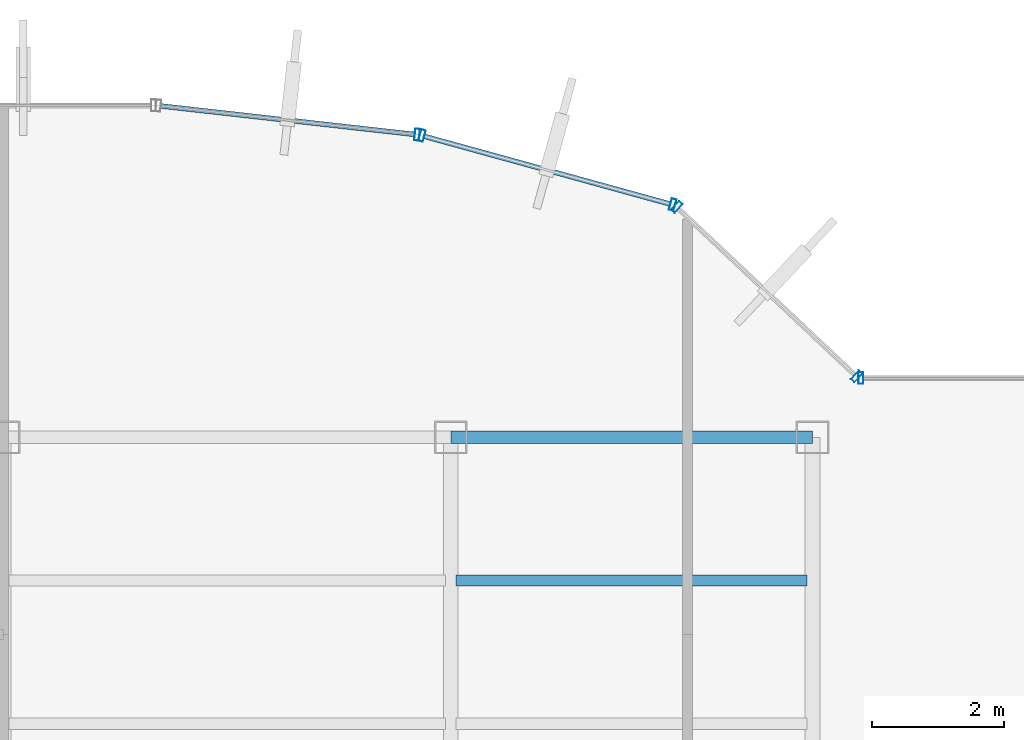
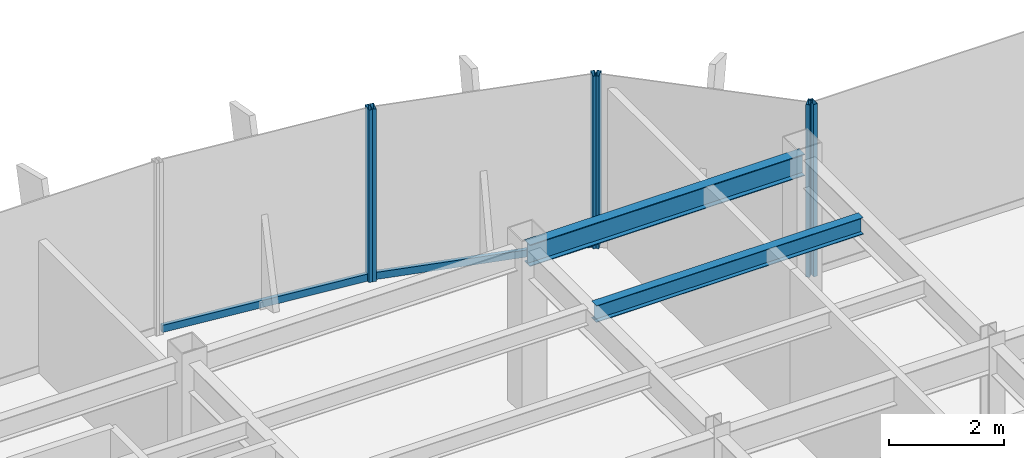
# One storey, part 14 of 22: 8 members, 2 beams, 4 elements without a shape of their own.
"""IFC4 building model written with IfcOpenShell, lengths in metres."""

from ifc_helpers import new_model, si_unit, derived_unit, direction, frame, origin, origin_2d, place, context, subcontext, project, spatial, hollow_rectangle, i_section, extrude, source, transform, mapped, material, material_profile, profile_set, type_object, element, aggregate, save


model = new_model("IFC4")

# Units and contexts
model_context = context("Model", 3, precision=1e-05, world=origin(), true_north=direction((0.0, 1.0)))
body_context = subcontext(model_context, "Body", "Model", "MODEL_VIEW")
ifc_project = project(units=[si_unit("LENGTHUNIT", "METRE"), si_unit("AREAUNIT", "SQUARE_METRE"), si_unit("VOLUMEUNIT", "CUBIC_METRE"), si_unit("PLANEANGLEUNIT", "RADIAN"), si_unit("MASSUNIT", "GRAM", prefix="KILO"), derived_unit("THERMALTRANSMITTANCEUNIT", [(si_unit("POWERUNIT", "WATT"), 1), (si_unit("LENGTHUNIT", "METRE"), -2), (si_unit("THERMODYNAMICTEMPERATUREUNIT", "KELVIN"), -1)])], contexts=[model_context])

# Site, building, storey
site_placement = place(None, origin())
site = spatial("IfcSite", under=ifc_project, at=site_placement, CompositionType="ELEMENT")
building_placement = place(site_placement, origin())
building = spatial("IfcBuilding", under=site, at=building_placement, Name="Skarnbrae Concourse Arena and Tower", CompositionType="ELEMENT")
storey_placement = place(building_placement, frame((0.0, 0.0, 228.75)))
storey = spatial("IfcBuildingStorey", under=building, at=storey_placement, Name="L59", CompositionType="ELEMENT", Elevation=228.75)

# Beams
ifc_material_1 = material(Name="Steel CSA G40.21 350W", Category="steel")
ifc_material_profile_1 = material_profile(ifc_material_1, i_section(OverallWidth=0.19091796875, OverallDepth=0.4599609375, WebThickness=0.010009765625, FlangeThickness=0.01611328125, at=origin_2d()), Name="W460X82")
ifc_profile_set_1 = profile_set([ifc_material_profile_1], Name="Steel CSA G40.21 350W")
beam_type_1 = type_object("IfcBeamType", Name="BM-SPAN-W460X82", PredefinedType="SPANDREL", material=ifc_profile_set_1)
shared_shape_1 = source(origin(), body_context, "Body", "SweptSolid", [
    extrude(i_section(OverallWidth=0.19091796875, OverallDepth=0.4599609375, WebThickness=0.010009765625, FlangeThickness=0.01611328125, at=origin_2d()), origin(), (0.0, 0.0, 1.0), 5.5),
])
beam_1_placement = place(storey_placement, frame((28.0, 34.39990234375, 3.169921875), z_axis=(1.0, 0.0, 0.0), x_axis=(0.0, 1.0, 0.0)))
element("IfcBeam", 1, at=beam_1_placement, inside=storey, type_object=beam_type_1, Name="L59 Perimeter spandrel Y34.4-4", PredefinedType="SPANDREL", context=body_context, shape_type="MappedRepresentation", body=[
    mapped(shared_shape_1, transform((0.0, 0.0, 0.0))),
])
ifc_material_profile_2 = material_profile(ifc_material_1, i_section(OverallWidth=0.1708984375, OverallDepth=0.35498046875, WebThickness=0.007080078125, FlangeThickness=0.01171875, at=origin_2d()), Name="W360X51")
ifc_profile_set_2 = profile_set([ifc_material_profile_2], Name="Steel CSA G40.21 350W")
beam_type_2 = type_object("IfcBeamType", Name="BM-JOIST-W360X51", PredefinedType="JOIST", material=ifc_profile_set_2)
shared_shape_2 = source(origin(), body_context, "Body", "SweptSolid", [
    extrude(i_section(OverallWidth=0.1708984375, OverallDepth=0.35498046875, WebThickness=0.007080078125, FlangeThickness=0.01171875, at=origin_2d()), origin(), (0.0, 0.0, 1.0), 5.33984375),
])
beam_2_placement = place(storey_placement, frame((28.080078125, 32.221923828125, 3.222412109375), z_axis=(1.0, 0.0, 0.0), x_axis=(0.0, 1.0, 0.0)))
element("IfcBeam", 2, at=beam_2_placement, inside=storey, type_object=beam_type_2, Name="L59 Secondary floor joist 3.2.4", PredefinedType="JOIST", context=body_context, shape_type="MappedRepresentation", body=[
    mapped(shared_shape_2, transform((0.0, 0.0, 0.0))),
])

# Curtain wall, member
ifc_material_2 = material(Name="Bronze anodised aluminium 6063-T6", Category="aluminium")
curtain_wall_type = type_object("IfcCurtainWallType", Name="CW-SYS-05-HIGHZONE", PredefinedType="USERDEFINED", material=ifc_material_2)
curtain_wall_1_placement = place(storey_placement, origin())
curtain_wall_1 = element("IfcCurtainWall", 3, at=curtain_wall_1_placement, inside=storey, type_object=curtain_wall_type, Name="L59 Unitised curtain wall CW-L59-E07", ObjectType="UNITISED CURTAIN WALL", PredefinedType="USERDEFINED")
ifc_material_profile_3 = material_profile(ifc_material_2, hollow_rectangle(XDim=0.074951171875, YDim=0.179931640625, WallThickness=0.00390625, at=origin_2d()), Name="ALU-MULL-75X180")
ifc_profile_set_3 = profile_set([ifc_material_profile_3], Name="Bronze anodised aluminium 6063-T6")
member_type_1 = type_object("IfcMemberType", Name="CWM-CW-05", PredefinedType="MULLION", material=ifc_profile_set_3)
shared_shape_3 = source(origin(), body_context, "Body", "SweptSolid", [
    extrude(hollow_rectangle(XDim=0.074951171875, YDim=0.179931640625, WallThickness=0.00390625, at=origin_2d()), origin(), (0.0, 0.0, 1.0), 3.64990234375),
])
member_1_placement = place(storey_placement, frame((34.237548828125, 35.300048828125, 0.0), z_axis=(0.0, 0.0, 1.0), x_axis=(-1.0, 0.0, 0.0)))
member_1 = element("IfcMember", 4, at=member_1_placement, type_object=member_type_1, Name="CW-L59-E07 Mullion 2", PredefinedType="MULLION", context=body_context, shape_type="MappedRepresentation", body=[
    mapped(shared_shape_3, transform((0.0, 0.0, 0.0))),
])
aggregate(curtain_wall_1, [member_1])

# Curtain wall, members
curtain_wall_2_placement = place(storey_placement, origin())
curtain_wall_2 = element("IfcCurtainWall", 5, at=curtain_wall_2_placement, inside=storey, type_object=curtain_wall_type, Name="L59 Unitised curtain wall CW-L59-E08", ObjectType="UNITISED CURTAIN WALL", PredefinedType="USERDEFINED")
member_2_placement = place(storey_placement, frame((34.172607421875, 35.32568359375, 0.0), z_axis=(0.0, 0.0, 1.0), x_axis=(-0.728130555214, 0.685438468838, 0.0)))
member_2 = element("IfcMember", 6, at=member_2_placement, type_object=member_type_1, Name="CW-L59-E08 Mullion 1", PredefinedType="MULLION", context=body_context, shape_type="MappedRepresentation", body=[
    mapped(shared_shape_3, transform((0.0, 0.0, 0.0))),
])
member_3_placement = place(storey_placement, frame((31.43701171875, 37.90087890625, 0.0), z_axis=(0.0, 0.0, 1.0), x_axis=(-0.728130555214, 0.685438468838, 0.0)))
member_3 = element("IfcMember", 7, at=member_3_placement, type_object=member_type_1, Name="CW-L59-E08 Mullion 2", PredefinedType="MULLION", context=body_context, shape_type="MappedRepresentation", body=[
    mapped(shared_shape_3, transform((0.0, 0.0, 0.0))),
])
aggregate(curtain_wall_2, [member_2, member_3])

curtain_wall_3_placement = place(storey_placement, origin())
curtain_wall_3 = element("IfcCurtainWall", 8, at=curtain_wall_3_placement, inside=storey, type_object=curtain_wall_type, Name="L59 Unitised curtain wall CW-L59-E09", ObjectType="UNITISED CURTAIN WALL", PredefinedType="USERDEFINED")
member_4_placement = place(storey_placement, frame((31.37353515625, 37.936767578125, 0.0), z_axis=(0.0, 0.0, 1.0), x_axis=(-0.964057388766, 0.265694093207, 0.0)))
member_4 = element("IfcMember", 9, at=member_4_placement, type_object=member_type_1, Name="CW-L59-E09 Mullion 1", PredefinedType="MULLION", context=body_context, shape_type="MappedRepresentation", body=[
    mapped(shared_shape_3, transform((0.0, 0.0, 0.0))),
])
member_5_placement = place(storey_placement, frame((27.56201171875, 38.987060546875, 0.0), z_axis=(0.0, 0.0, 1.0), x_axis=(-0.964057388766, 0.265694093207, 0.0)))
member_5 = element("IfcMember", 10, at=member_5_placement, type_object=member_type_1, Name="CW-L59-E09 Mullion 2", PredefinedType="MULLION", context=body_context, shape_type="MappedRepresentation", body=[
    mapped(shared_shape_3, transform((0.0, 0.0, 0.0))),
])

# Curtain wall, member
curtain_wall_4_placement = place(storey_placement, origin())
curtain_wall_4 = element("IfcCurtainWall", 11, at=curtain_wall_4_placement, inside=storey, type_object=curtain_wall_type, Name="L59 Unitised curtain wall CW-L59-E10", ObjectType="UNITISED CURTAIN WALL", PredefinedType="USERDEFINED")
member_6_placement = place(storey_placement, frame((27.488525390625, 39.001220703125, 0.0), z_axis=(0.0, 0.0, 1.0), x_axis=(-0.993768891873, 0.111460259941, 0.0)))
member_6 = element("IfcMember", 12, at=member_6_placement, type_object=member_type_1, Name="CW-L59-E10 Mullion 1", PredefinedType="MULLION", context=body_context, shape_type="MappedRepresentation", body=[
    mapped(shared_shape_3, transform((0.0, 0.0, 0.0))),
])

# Member
ifc_material_profile_4 = material_profile(ifc_material_2, hollow_rectangle(XDim=0.074951171875, YDim=0.14990234375, WallThickness=0.00390625, at=origin_2d()), Name="ALU-TRAN-75X150")
ifc_profile_set_4 = profile_set([ifc_material_profile_4], Name="Bronze anodised aluminium 6063-T6")
member_type_2 = type_object("IfcMemberType", Name="CWT-CW-05", PredefinedType="USERDEFINED", material=ifc_profile_set_4)
shared_shape_4 = source(origin(), body_context, "Body", "SweptSolid", [
    extrude(hollow_rectangle(XDim=0.074951171875, YDim=0.14990234375, WallThickness=0.00390625, at=origin_2d()), origin(), (0.0, 0.0, 1.0), 3.878662109375),
])
member_7_placement = place(storey_placement, frame((31.33740234375, 37.946533203125, 0.074951171875), z_axis=(-0.964042677713, 0.265747465742, 0.0), x_axis=(-0.265747465742, -0.964042677713, 0.0)))
member_7 = element("IfcMember", 13, at=member_7_placement, type_object=member_type_2, Name="CW-L59-E09 Transom 1", ObjectType="TRANSOM", PredefinedType="USERDEFINED", context=body_context, shape_type="MappedRepresentation", body=[
    mapped(shared_shape_4, transform((0.0, 0.0, 0.0))),
])

aggregate(curtain_wall_3, [member_4, member_5, member_7])

shared_shape_5 = source(origin(), body_context, "Body", "SweptSolid", [
    extrude(hollow_rectangle(XDim=0.074951171875, YDim=0.14990234375, WallThickness=0.00390625, at=origin_2d()), origin(), (0.0, 0.0, 1.0), 3.8837890625),
])
member_8_placement = place(storey_placement, frame((27.451416015625, 39.005615234375, 0.074951171875), z_axis=(-0.993776714154, 0.111390495128, 0.0), x_axis=(-0.111390495128, -0.993776714154, 0.0)))
member_8 = element("IfcMember", 14, at=member_8_placement, type_object=member_type_2, Name="CW-L59-E10 Transom 1", ObjectType="TRANSOM", PredefinedType="USERDEFINED", context=body_context, shape_type="MappedRepresentation", body=[
    mapped(shared_shape_5, transform((0.0, 0.0, 0.0))),
])

aggregate(curtain_wall_4, [member_6, member_8])

save(model, "model.ifc")
